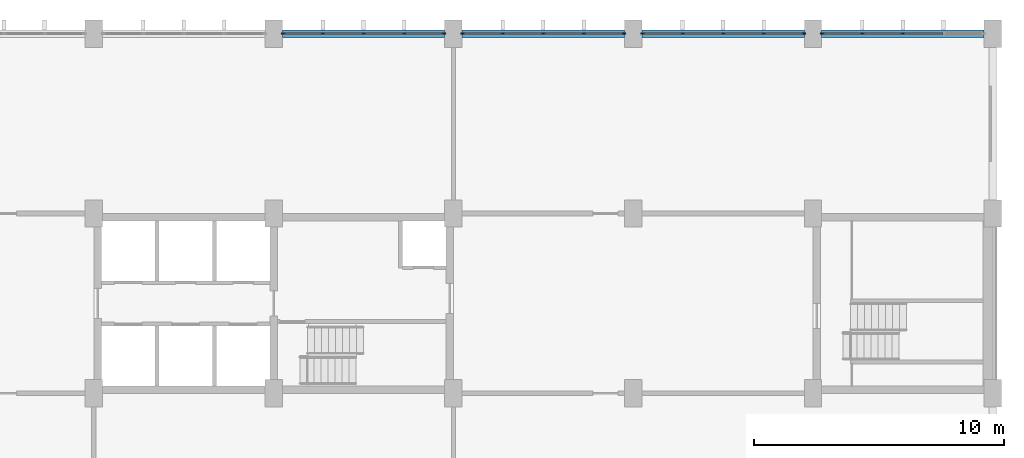
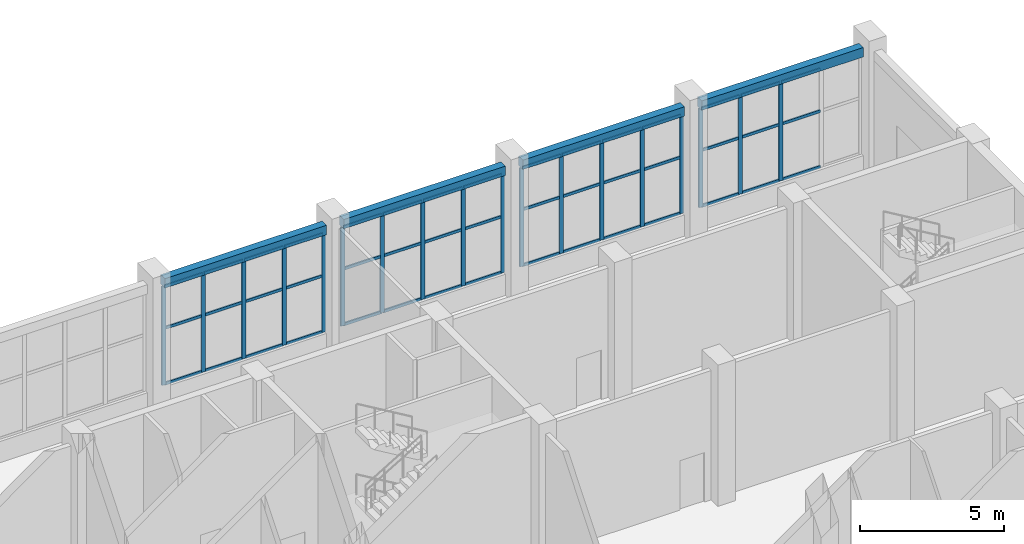
# One storey, part 16 of 44: 63 members, 4 beams, 4 elements without a shape of their own.
"""IFC4 building model written with IfcOpenShell, lengths in metres."""

import ifcopenshell
import ifcopenshell.guid

model = None  # the IFC model being written
_history = None  # IfcOwnerHistory: only IFC2X3 demands one
_inside = {}  # id of a spatial element -> (the spatial element, [elements in it])
_under = {}  # id of a project, library or spatial element -> (it, [spatial elements below it])
_declared = {}  # id of a project -> (the project, [libraries it declares])
_typed = {}  # id of a type object -> (the type object, [elements of that type])
_made_of = {}  # id of a material, layer set ... -> (it, [elements and type objects made of it])


def new_model(schema):
    """Start an empty IFC model of exactly this schema.

    Asked for "IFC4X3", IfcOpenShell would pick the latest addendum, in which some entities
    have other attributes; the version numbers below select the first issue.
    IFC2X3 requires an IfcOwnerHistory on every rooted entity: one is made here for all.
    """
    global model, _history
    if schema == "IFC4X3":
        model = ifcopenshell.file(schema_version=(4, 3, 0, 0))
    else:
        model = ifcopenshell.file(schema=schema)
    _inside.clear()
    _under.clear()
    _declared.clear()
    _typed.clear()
    _made_of.clear()
    _history = None
    if model.schema == "IFC2X3":
        org = make("IfcOrganization", Name="unknown")
        user = make(
            "IfcPersonAndOrganization",
            ThePerson=make("IfcPerson", FamilyName="unknown"),
            TheOrganization=org,
        )
        app = make(
            "IfcApplication",
            ApplicationDeveloper=org,
            Version="unknown",
            ApplicationFullName="unknown",
            ApplicationIdentifier="unknown",
        )
        _history = make(
            "IfcOwnerHistory",
            OwningUser=user,
            OwningApplication=app,
            ChangeAction="ADDED",
            CreationDate=0,
        )
    return model


def make(cls, **values):
    """One entity of the class cls with the attributes given. An attribute that is None is left unset."""
    return model.create_entity(
        cls, **{name: value for name, value in values.items() if value is not None}
    )


def rooted(cls, **values):
    """An entity with a GlobalId (a new one), such as an element, a storey or a relation."""
    return make(cls, GlobalId=ifcopenshell.guid.new(), OwnerHistory=_history, **values)


def si_unit(unit_type, name, prefix=None):
    """IfcSIUnit, for example si_unit("LENGTHUNIT", "METRE", prefix="MILLI")."""
    return make("IfcSIUnit", UnitType=unit_type, Prefix=prefix, Name=name)


def assignment(units):
    """IfcUnitAssignment: the units of a project."""
    return None if units is None else make("IfcUnitAssignment", Units=units)


def point(xyz):
    """IfcCartesianPoint."""
    return None if xyz is None else make("IfcCartesianPoint", Coordinates=xyz)


def direction(xyz):
    """IfcDirection."""
    return None if xyz is None else make("IfcDirection", DirectionRatios=xyz)


def frame(location, z_axis=None, x_axis=None):
    """IfcAxis2Placement3D, a coordinate frame: its origin and axes. An axis left out is left unset."""
    return make(
        "IfcAxis2Placement3D",
        Location=point(location),
        Axis=direction(z_axis),
        RefDirection=direction(x_axis),
    )


def frame_2d(location, x_axis=None):
    """IfcAxis2Placement2D, a coordinate frame in the plane: its origin and x axis."""
    return make(
        "IfcAxis2Placement2D", Location=point(location), RefDirection=direction(x_axis)
    )


def origin():
    """The frame at (0, 0, 0) with its axes left unset."""
    return frame((0.0, 0.0, 0.0))


def origin_2d():
    """The frame at (0, 0) in the plane with its x axis left unset."""
    return frame_2d((0.0, 0.0))


def place(relative_to, where):
    """IfcLocalPlacement: puts the frame where relative to a parent placement (None: the world)."""
    return make(
        "IfcLocalPlacement", PlacementRelTo=relative_to, RelativePlacement=where
    )


def context(
    kind, dimensions, precision=None, world=None, true_north=None, identifier=None
):
    """IfcGeometricRepresentationContext, for example the 3D "Model" context."""
    return make(
        "IfcGeometricRepresentationContext",
        ContextIdentifier=identifier,
        ContextType=kind,
        CoordinateSpaceDimension=dimensions,
        Precision=precision,
        WorldCoordinateSystem=world,
        TrueNorth=true_north,
    )


def subcontext(parent, identifier, kind, view, scale=None):
    """IfcGeometricRepresentationSubContext, for example "Body" below "Model"."""
    return make(
        "IfcGeometricRepresentationSubContext",
        ContextIdentifier=identifier,
        ContextType=kind,
        ParentContext=parent,
        TargetScale=scale,
        TargetView=view,
    )


def project(units=None, contexts=None):
    """IfcProject with its units and contexts."""
    return rooted(
        "IfcProject",
        Name="project",
        RepresentationContexts=contexts,
        UnitsInContext=assignment(units),
    )


def spatial(cls, under=None, at=None, **own):
    """A site, building, storey or space (cls), placed at a placement, below another one or the project."""
    s = rooted(cls, ObjectPlacement=at, **own)
    if under is not None:
        _under.setdefault(under.id(), (under, []))[1].append(s)
    return s


def profile(cls, at=None, kind="AREA", **sizes):
    """A parametric profile (cls). Its sizes go by their IFC names, for example OverallWidth=200.0."""
    return make(cls, ProfileType=kind, Position=at, **sizes)


def rectangle(**sizes):
    """IfcRectangleProfileDef."""
    return profile("IfcRectangleProfileDef", **sizes)


def extrude(swept, where, along, depth):
    """IfcExtrudedAreaSolid: the profile swept, set in the frame where, extruded along a direction by depth."""
    return make(
        "IfcExtrudedAreaSolid",
        SweptArea=swept,
        Position=where,
        ExtrudedDirection=direction(along),
        Depth=depth,
    )


def shape(context_of_items, identifier, shape_type, items):
    """IfcShapeRepresentation: the items that make up one representation, for example the "Body"."""
    return make(
        "IfcShapeRepresentation",
        ContextOfItems=context_of_items,
        RepresentationIdentifier=identifier,
        RepresentationType=shape_type,
        Items=items,
    )


def material(Name=None, Category=None):
    """IfcMaterial."""
    return make("IfcMaterial", Name=Name, Category=Category)


def layer(
    of_material, thickness, ventilated=None, Name=None, Category=None, Priority=None
):
    """IfcMaterialLayer: one layer of a wall or slab, of a material (None: an air gap)."""
    return make(
        "IfcMaterialLayer",
        Material=of_material,
        LayerThickness=thickness,
        IsVentilated=ventilated,
        Name=Name,
        Category=Category,
        Priority=Priority,
    )


def layer_set(layers, Name=None):
    """IfcMaterialLayerSet."""
    return make("IfcMaterialLayerSet", MaterialLayers=layers, LayerSetName=Name)


def material_profile(
    of_material, cross_section, Name=None, Category=None, Priority=None
):
    """IfcMaterialProfile: a cross section and its material."""
    return make(
        "IfcMaterialProfile",
        Name=Name,
        Material=of_material,
        Profile=cross_section,
        Priority=Priority,
        Category=Category,
    )


def profile_set(profiles, Name=None, composite=None):
    """IfcMaterialProfileSet."""
    return make(
        "IfcMaterialProfileSet",
        Name=Name,
        MaterialProfiles=profiles,
        CompositeProfile=composite,
    )


def made_of(thing, what):
    """Note that an element or type object is made of a material, layer set ...; save() writes the relation."""
    if what is not None:
        _made_of.setdefault(what.id(), (what, []))[1].append(thing)
    return thing


def type_object(cls, material=None, **own):
    """A type object (cls), such as IfcWallType, which elements share."""
    return made_of(rooted(cls, **own), material)


def element(
    cls,
    number,
    at=None,
    inside=None,
    cuts=None,
    type_object=None,
    material=None,
    context=None,
    identifier="Body",
    shape_type=None,
    held_by="IfcProductDefinitionShape",
    body=None,
    shapes=None,
    **own,
):
    """One element of the class cls, such as IfcWall. Its Tag is "e" and its number.

    at: its placement. inside: the storey or other place that contains it. cuts: it is an
    opening in that element (IfcRelVoidsElement). A single representation is given by context,
    identifier, shape_type and body (its items); several are given by shapes. held_by: the class
    of the entity that holds the representations. save() writes the other relations.
    """
    e = rooted(cls, Tag="e%d" % number, ObjectPlacement=at, **own)
    if body is not None:
        shapes = [shape(context, identifier, shape_type, body)]
    if shapes is not None:
        e.Representation = make(held_by, Representations=shapes)
    if inside is not None:
        _inside.setdefault(inside.id(), (inside, []))[1].append(e)
    if cuts is not None:
        rooted(
            "IfcRelVoidsElement", RelatingBuildingElement=cuts, RelatedOpeningElement=e
        )
    if type_object is not None:
        _typed.setdefault(type_object.id(), (type_object, []))[1].append(e)
    return made_of(e, material)


def aggregate(whole, parts):
    """IfcRelAggregates: a whole, such as a stair, and the parts it consists of."""
    return rooted("IfcRelAggregates", RelatingObject=whole, RelatedObjects=parts)


def save(model, path):
    """Write the relations noted so far, then the file.

    IfcRelAggregates (storeys below a building ...), IfcRelContainedInSpatialStructure (elements
    in a storey), IfcRelDefinesByType, IfcRelAssociatesMaterial and IfcRelDeclares: one each for
    every whole, place, type object, material and project.
    """
    for whole, parts in _under.values():
        aggregate(whole, parts)
    for where, things in _inside.values():
        rooted(
            "IfcRelContainedInSpatialStructure",
            RelatedElements=things,
            RelatingStructure=where,
        )
    for kind, things in _typed.values():
        rooted("IfcRelDefinesByType", RelatedObjects=things, RelatingType=kind)
    for what, things in _made_of.values():
        rooted("IfcRelAssociatesMaterial", RelatedObjects=things, RelatingMaterial=what)
    for by, libraries in _declared.values():
        rooted("IfcRelDeclares", RelatingContext=by, RelatedDefinitions=libraries)
    model.write(path)


model = new_model("IFC4")

# Units and contexts
model_context = context("Model", 3, precision=1e-05, world=origin(), true_north=direction((0.0, 1.0)))
body_context = subcontext(model_context, "Body", "Model", "MODEL_VIEW")
ifc_project = project(units=[si_unit("LENGTHUNIT", "METRE"), si_unit("AREAUNIT", "SQUARE_METRE"), si_unit("VOLUMEUNIT", "CUBIC_METRE"), si_unit("PLANEANGLEUNIT", "RADIAN"), si_unit("MASSUNIT", "GRAM", prefix="KILO")], contexts=[model_context])

# Site, building, storey
site_placement = place(None, origin())
site = spatial("IfcSite", under=ifc_project, at=site_placement, CompositionType="ELEMENT")
building_placement = place(site_placement, origin())
building = spatial("IfcBuilding", under=site, at=building_placement, Name="Vermilion Court Aquatics Centre", CompositionType="ELEMENT")
storey_placement = place(building_placement, frame((0.0, 0.0, 6.0)))
storey = spatial("IfcBuildingStorey", under=building, at=storey_placement, Name="L01", CompositionType="ELEMENT", Elevation=6.0)

# Curtain wall, members
ifc_material_1 = material(Name="Aluminium 6063-T5", Category="aluminium")
ifc_layer = layer(ifc_material_1, 0.14990234375)
ifc_layer_set = layer_set([ifc_layer], Name="Podium curtain wall bay, 1800 module")
curtain_wall_type = type_object("IfcCurtainWallType", Name="Podium curtain wall bay, 1800 module", PredefinedType="NOTDEFINED", material=ifc_layer_set)
curtain_wall_1_placement = place(storey_placement, origin())
curtain_wall_1 = element("IfcCurtainWall", 1, at=curtain_wall_1_placement, inside=storey, type_object=curtain_wall_type, Name="Curtain wall L01", PredefinedType="NOTDEFINED")
ifc_material_2 = material(Name="Aluminium 6063-T5", Category="aluminium")
ifc_material_profile_1 = material_profile(ifc_material_2, rectangle(XDim=0.06005859375, YDim=0.159912109375, at=origin_2d()), Name="Mullion 60x160")
ifc_profile_set_1 = profile_set([ifc_material_profile_1], Name="Aluminium 6063-T5")
member_type_1 = type_object("IfcMemberType", Name="Podium curtain wall mullion 60x160", PredefinedType="MULLION", material=ifc_profile_set_1)
member_1_placement = place(storey_placement, frame((165.97998046875, 115.199951171875, 0.89990234375), z_axis=(0.0, 0.0, 1.0), x_axis=(0.0, 1.0, 0.0)))
member_1 = element("IfcMember", 2, at=member_1_placement, type_object=member_type_1, Name="PG2 mullion 1", PredefinedType="MULLION", context=body_context, shape_type="SweptSolid", body=[
    extrude(rectangle(XDim=0.06005859375, YDim=0.159912109375, at=origin_2d()), origin(), (0.0, 0.0, 1.0), 4.2001953125),
])
member_2_placement = place(storey_placement, frame((167.574951171875, 115.199951171875, 0.89990234375), z_axis=(0.0, 0.0, 1.0), x_axis=(0.0, 1.0, 0.0)))
member_2 = element("IfcMember", 3, at=member_2_placement, type_object=member_type_1, Name="PG2 mullion 2", PredefinedType="MULLION", context=body_context, shape_type="SweptSolid", body=[
    extrude(rectangle(XDim=0.06005859375, YDim=0.159912109375, at=origin_2d()), origin(), (0.0, 0.0, 1.0), 4.2001953125),
])
member_3_placement = place(storey_placement, frame((169.199951171875, 115.199951171875, 0.89990234375), z_axis=(0.0, 0.0, 1.0), x_axis=(0.0, 1.0, 0.0)))
member_3 = element("IfcMember", 4, at=member_3_placement, type_object=member_type_1, Name="PG2 mullion 3", PredefinedType="MULLION", context=body_context, shape_type="SweptSolid", body=[
    extrude(rectangle(XDim=0.06005859375, YDim=0.159912109375, at=origin_2d()), origin(), (0.0, 0.0, 1.0), 4.2001953125),
])
member_4_placement = place(storey_placement, frame((170.824951171875, 115.199951171875, 0.89990234375), z_axis=(0.0, 0.0, 1.0), x_axis=(0.0, 1.0, 0.0)))
member_4 = element("IfcMember", 5, at=member_4_placement, type_object=member_type_1, Name="PG2 mullion 4", PredefinedType="MULLION", context=body_context, shape_type="SweptSolid", body=[
    extrude(rectangle(XDim=0.06005859375, YDim=0.159912109375, at=origin_2d()), origin(), (0.0, 0.0, 1.0), 4.2001953125),
])
member_5_placement = place(storey_placement, frame((172.419921875, 115.199951171875, 0.89990234375), z_axis=(0.0, 0.0, 1.0), x_axis=(0.0, 1.0, 0.0)))
member_5 = element("IfcMember", 6, at=member_5_placement, type_object=member_type_1, Name="PG2 mullion 5", PredefinedType="MULLION", context=body_context, shape_type="SweptSolid", body=[
    extrude(rectangle(XDim=0.06005859375, YDim=0.159912109375, at=origin_2d()), origin(), (0.0, 0.0, 1.0), 4.2001953125),
])

curtain_wall_2_placement = place(storey_placement, origin())
curtain_wall_2 = element("IfcCurtainWall", 7, at=curtain_wall_2_placement, inside=storey, type_object=curtain_wall_type, Name="Curtain wall L01", PredefinedType="NOTDEFINED")
member_6_placement = place(storey_placement, frame((173.179931640625, 115.199951171875, 0.89990234375), z_axis=(0.0, 0.0, 1.0), x_axis=(0.0, 1.0, 0.0)))
member_6 = element("IfcMember", 8, at=member_6_placement, type_object=member_type_1, Name="PG2 mullion 1", PredefinedType="MULLION", context=body_context, shape_type="SweptSolid", body=[
    extrude(rectangle(XDim=0.06005859375, YDim=0.159912109375, at=origin_2d()), origin(), (0.0, 0.0, 1.0), 4.2001953125),
])
member_7_placement = place(storey_placement, frame((174.77490234375, 115.199951171875, 0.89990234375), z_axis=(0.0, 0.0, 1.0), x_axis=(0.0, 1.0, 0.0)))
member_7 = element("IfcMember", 9, at=member_7_placement, type_object=member_type_1, Name="PG2 mullion 2", PredefinedType="MULLION", context=body_context, shape_type="SweptSolid", body=[
    extrude(rectangle(XDim=0.06005859375, YDim=0.159912109375, at=origin_2d()), origin(), (0.0, 0.0, 1.0), 4.2001953125),
])
member_8_placement = place(storey_placement, frame((176.39990234375, 115.199951171875, 0.89990234375), z_axis=(0.0, 0.0, 1.0), x_axis=(0.0, 1.0, 0.0)))
member_8 = element("IfcMember", 10, at=member_8_placement, type_object=member_type_1, Name="PG2 mullion 3", PredefinedType="MULLION", context=body_context, shape_type="SweptSolid", body=[
    extrude(rectangle(XDim=0.06005859375, YDim=0.159912109375, at=origin_2d()), origin(), (0.0, 0.0, 1.0), 4.2001953125),
])
member_9_placement = place(storey_placement, frame((178.02490234375, 115.199951171875, 0.89990234375), z_axis=(0.0, 0.0, 1.0), x_axis=(0.0, 1.0, 0.0)))
member_9 = element("IfcMember", 11, at=member_9_placement, type_object=member_type_1, Name="PG2 mullion 4", PredefinedType="MULLION", context=body_context, shape_type="SweptSolid", body=[
    extrude(rectangle(XDim=0.06005859375, YDim=0.159912109375, at=origin_2d()), origin(), (0.0, 0.0, 1.0), 4.2001953125),
])
member_10_placement = place(storey_placement, frame((179.6201171875, 115.199951171875, 0.89990234375), z_axis=(0.0, 0.0, 1.0), x_axis=(0.0, 1.0, 0.0)))
member_10 = element("IfcMember", 12, at=member_10_placement, type_object=member_type_1, Name="PG2 mullion 5", PredefinedType="MULLION", context=body_context, shape_type="SweptSolid", body=[
    extrude(rectangle(XDim=0.06005859375, YDim=0.159912109375, at=origin_2d()), origin(), (0.0, 0.0, 1.0), 4.2001953125),
])

curtain_wall_3_placement = place(storey_placement, origin())
curtain_wall_3 = element("IfcCurtainWall", 13, at=curtain_wall_3_placement, inside=storey, type_object=curtain_wall_type, Name="Curtain wall L01", PredefinedType="NOTDEFINED")
member_11_placement = place(storey_placement, frame((180.3798828125, 115.199951171875, 0.89990234375), z_axis=(0.0, 0.0, 1.0), x_axis=(0.0, 1.0, 0.0)))
member_11 = element("IfcMember", 14, at=member_11_placement, type_object=member_type_1, Name="PG2 mullion 1", PredefinedType="MULLION", context=body_context, shape_type="SweptSolid", body=[
    extrude(rectangle(XDim=0.06005859375, YDim=0.159912109375, at=origin_2d()), origin(), (0.0, 0.0, 1.0), 4.2001953125),
])
member_12_placement = place(storey_placement, frame((181.97509765625, 115.199951171875, 0.89990234375), z_axis=(0.0, 0.0, 1.0), x_axis=(0.0, 1.0, 0.0)))
member_12 = element("IfcMember", 15, at=member_12_placement, type_object=member_type_1, Name="PG2 mullion 2", PredefinedType="MULLION", context=body_context, shape_type="SweptSolid", body=[
    extrude(rectangle(XDim=0.06005859375, YDim=0.159912109375, at=origin_2d()), origin(), (0.0, 0.0, 1.0), 4.2001953125),
])
member_13_placement = place(storey_placement, frame((183.60009765625, 115.199951171875, 0.89990234375), z_axis=(0.0, 0.0, 1.0), x_axis=(0.0, 1.0, 0.0)))
member_13 = element("IfcMember", 16, at=member_13_placement, type_object=member_type_1, Name="PG2 mullion 3", PredefinedType="MULLION", context=body_context, shape_type="SweptSolid", body=[
    extrude(rectangle(XDim=0.06005859375, YDim=0.159912109375, at=origin_2d()), origin(), (0.0, 0.0, 1.0), 4.2001953125),
])
member_14_placement = place(storey_placement, frame((185.22509765625, 115.199951171875, 0.89990234375), z_axis=(0.0, 0.0, 1.0), x_axis=(0.0, 1.0, 0.0)))
member_14 = element("IfcMember", 17, at=member_14_placement, type_object=member_type_1, Name="PG2 mullion 4", PredefinedType="MULLION", context=body_context, shape_type="SweptSolid", body=[
    extrude(rectangle(XDim=0.06005859375, YDim=0.159912109375, at=origin_2d()), origin(), (0.0, 0.0, 1.0), 4.2001953125),
])
member_15_placement = place(storey_placement, frame((186.820068359375, 115.199951171875, 0.89990234375), z_axis=(0.0, 0.0, 1.0), x_axis=(0.0, 1.0, 0.0)))
member_15 = element("IfcMember", 18, at=member_15_placement, type_object=member_type_1, Name="PG2 mullion 5", PredefinedType="MULLION", context=body_context, shape_type="SweptSolid", body=[
    extrude(rectangle(XDim=0.06005859375, YDim=0.159912109375, at=origin_2d()), origin(), (0.0, 0.0, 1.0), 4.2001953125),
])

curtain_wall_4_placement = place(storey_placement, origin())
curtain_wall_4 = element("IfcCurtainWall", 19, at=curtain_wall_4_placement, inside=storey, type_object=curtain_wall_type, Name="Curtain wall L01", PredefinedType="NOTDEFINED")
member_16_placement = place(storey_placement, frame((187.580078125, 115.199951171875, 0.89990234375), z_axis=(0.0, 0.0, 1.0), x_axis=(0.0, 1.0, 0.0)))
member_16 = element("IfcMember", 20, at=member_16_placement, type_object=member_type_1, Name="PG2 mullion 1", PredefinedType="MULLION", context=body_context, shape_type="SweptSolid", body=[
    extrude(rectangle(XDim=0.06005859375, YDim=0.159912109375, at=origin_2d()), origin(), (0.0, 0.0, 1.0), 4.2001953125),
])
member_17_placement = place(storey_placement, frame((189.175048828125, 115.199951171875, 0.89990234375), z_axis=(0.0, 0.0, 1.0), x_axis=(0.0, 1.0, 0.0)))
member_17 = element("IfcMember", 21, at=member_17_placement, type_object=member_type_1, Name="PG2 mullion 2", PredefinedType="MULLION", context=body_context, shape_type="SweptSolid", body=[
    extrude(rectangle(XDim=0.06005859375, YDim=0.159912109375, at=origin_2d()), origin(), (0.0, 0.0, 1.0), 4.2001953125),
])
member_18_placement = place(storey_placement, frame((190.800048828125, 115.199951171875, 0.89990234375), z_axis=(0.0, 0.0, 1.0), x_axis=(0.0, 1.0, 0.0)))
member_18 = element("IfcMember", 22, at=member_18_placement, type_object=member_type_1, Name="PG2 mullion 3", PredefinedType="MULLION", context=body_context, shape_type="SweptSolid", body=[
    extrude(rectangle(XDim=0.06005859375, YDim=0.159912109375, at=origin_2d()), origin(), (0.0, 0.0, 1.0), 4.2001953125),
])

# Member
ifc_material_3 = material(Name="Aluminium 6063-T5", Category="aluminium")
ifc_material_profile_2 = material_profile(ifc_material_3, rectangle(XDim=0.06005859375, YDim=0.1201171875, at=origin_2d()), Name="Transom 60x120")
ifc_profile_set_2 = profile_set([ifc_material_profile_2], Name="Aluminium 6063-T5")
member_type_2 = type_object("IfcMemberType", Name="Podium curtain wall transom 60x120", PredefinedType="USERDEFINED", material=ifc_profile_set_2)
member_19_placement = place(storey_placement, frame((166.010009765625, 115.199951171875, 0.929931640625), z_axis=(1.0, 0.0, 0.0), x_axis=(0.0, 1.0, 0.0)))
member_19 = element("IfcMember", 23, at=member_19_placement, type_object=member_type_2, Name="PG2 transom 1.1", ObjectType="TRANSOM", PredefinedType="USERDEFINED", context=body_context, shape_type="SweptSolid", body=[
    extrude(rectangle(XDim=0.06005859375, YDim=0.1201171875, at=origin_2d()), origin(), (0.0, 0.0, 1.0), 1.534912109375),
])

member_20_placement = place(storey_placement, frame((166.010009765625, 115.199951171875, 3.300048828125), z_axis=(1.0, 0.0, 0.0), x_axis=(0.0, 1.0, 0.0)))
member_20 = element("IfcMember", 24, at=member_20_placement, type_object=member_type_2, Name="PG2 transom 1.2", ObjectType="TRANSOM", PredefinedType="USERDEFINED", context=body_context, shape_type="SweptSolid", body=[
    extrude(rectangle(XDim=0.06005859375, YDim=0.1201171875, at=origin_2d()), origin(), (0.0, 0.0, 1.0), 1.534912109375),
])

member_21_placement = place(storey_placement, frame((166.010009765625, 115.199951171875, 5.070068359375), z_axis=(1.0, 0.0, 0.0), x_axis=(0.0, 1.0, 0.0)))
member_21 = element("IfcMember", 25, at=member_21_placement, type_object=member_type_2, Name="PG2 transom 1.3", ObjectType="TRANSOM", PredefinedType="USERDEFINED", context=body_context, shape_type="SweptSolid", body=[
    extrude(rectangle(XDim=0.06005859375, YDim=0.1201171875, at=origin_2d()), origin(), (0.0, 0.0, 1.0), 1.534912109375),
])

member_22_placement = place(storey_placement, frame((167.60498046875, 115.199951171875, 0.929931640625), z_axis=(1.0, 0.0, 0.0), x_axis=(0.0, 1.0, 0.0)))
member_22 = element("IfcMember", 26, at=member_22_placement, type_object=member_type_2, Name="PG2 transom 2.1", ObjectType="TRANSOM", PredefinedType="USERDEFINED", context=body_context, shape_type="SweptSolid", body=[
    extrude(rectangle(XDim=0.06005859375, YDim=0.1201171875, at=origin_2d()), origin(), (0.0, 0.0, 1.0), 1.56494140625),
])

member_23_placement = place(storey_placement, frame((167.60498046875, 115.199951171875, 3.300048828125), z_axis=(1.0, 0.0, 0.0), x_axis=(0.0, 1.0, 0.0)))
member_23 = element("IfcMember", 27, at=member_23_placement, type_object=member_type_2, Name="PG2 transom 2.2", ObjectType="TRANSOM", PredefinedType="USERDEFINED", context=body_context, shape_type="SweptSolid", body=[
    extrude(rectangle(XDim=0.06005859375, YDim=0.1201171875, at=origin_2d()), origin(), (0.0, 0.0, 1.0), 1.56494140625),
])

member_24_placement = place(storey_placement, frame((167.60498046875, 115.199951171875, 5.070068359375), z_axis=(1.0, 0.0, 0.0), x_axis=(0.0, 1.0, 0.0)))
member_24 = element("IfcMember", 28, at=member_24_placement, type_object=member_type_2, Name="PG2 transom 2.3", ObjectType="TRANSOM", PredefinedType="USERDEFINED", context=body_context, shape_type="SweptSolid", body=[
    extrude(rectangle(XDim=0.06005859375, YDim=0.1201171875, at=origin_2d()), origin(), (0.0, 0.0, 1.0), 1.56494140625),
])

member_25_placement = place(storey_placement, frame((169.22998046875, 115.199951171875, 0.929931640625), z_axis=(1.0, 0.0, 0.0), x_axis=(0.0, 1.0, 0.0)))
member_25 = element("IfcMember", 29, at=member_25_placement, type_object=member_type_2, Name="PG2 transom 3.1", ObjectType="TRANSOM", PredefinedType="USERDEFINED", context=body_context, shape_type="SweptSolid", body=[
    extrude(rectangle(XDim=0.06005859375, YDim=0.1201171875, at=origin_2d()), origin(), (0.0, 0.0, 1.0), 1.56494140625),
])

member_26_placement = place(storey_placement, frame((169.22998046875, 115.199951171875, 3.300048828125), z_axis=(1.0, 0.0, 0.0), x_axis=(0.0, 1.0, 0.0)))
member_26 = element("IfcMember", 30, at=member_26_placement, type_object=member_type_2, Name="PG2 transom 3.2", ObjectType="TRANSOM", PredefinedType="USERDEFINED", context=body_context, shape_type="SweptSolid", body=[
    extrude(rectangle(XDim=0.06005859375, YDim=0.1201171875, at=origin_2d()), origin(), (0.0, 0.0, 1.0), 1.56494140625),
])

member_27_placement = place(storey_placement, frame((169.22998046875, 115.199951171875, 5.070068359375), z_axis=(1.0, 0.0, 0.0), x_axis=(0.0, 1.0, 0.0)))
member_27 = element("IfcMember", 31, at=member_27_placement, type_object=member_type_2, Name="PG2 transom 3.3", ObjectType="TRANSOM", PredefinedType="USERDEFINED", context=body_context, shape_type="SweptSolid", body=[
    extrude(rectangle(XDim=0.06005859375, YDim=0.1201171875, at=origin_2d()), origin(), (0.0, 0.0, 1.0), 1.56494140625),
])

member_28_placement = place(storey_placement, frame((170.85498046875, 115.199951171875, 0.929931640625), z_axis=(1.0, 0.0, 0.0), x_axis=(0.0, 1.0, 0.0)))
member_28 = element("IfcMember", 32, at=member_28_placement, type_object=member_type_2, Name="PG2 transom 4.1", ObjectType="TRANSOM", PredefinedType="USERDEFINED", context=body_context, shape_type="SweptSolid", body=[
    extrude(rectangle(XDim=0.06005859375, YDim=0.1201171875, at=origin_2d()), origin(), (0.0, 0.0, 1.0), 1.534912109375),
])

member_29_placement = place(storey_placement, frame((170.85498046875, 115.199951171875, 3.300048828125), z_axis=(1.0, 0.0, 0.0), x_axis=(0.0, 1.0, 0.0)))
member_29 = element("IfcMember", 33, at=member_29_placement, type_object=member_type_2, Name="PG2 transom 4.2", ObjectType="TRANSOM", PredefinedType="USERDEFINED", context=body_context, shape_type="SweptSolid", body=[
    extrude(rectangle(XDim=0.06005859375, YDim=0.1201171875, at=origin_2d()), origin(), (0.0, 0.0, 1.0), 1.534912109375),
])

member_30_placement = place(storey_placement, frame((170.85498046875, 115.199951171875, 5.070068359375), z_axis=(1.0, 0.0, 0.0), x_axis=(0.0, 1.0, 0.0)))
member_30 = element("IfcMember", 34, at=member_30_placement, type_object=member_type_2, Name="PG2 transom 4.3", ObjectType="TRANSOM", PredefinedType="USERDEFINED", context=body_context, shape_type="SweptSolid", body=[
    extrude(rectangle(XDim=0.06005859375, YDim=0.1201171875, at=origin_2d()), origin(), (0.0, 0.0, 1.0), 1.534912109375),
])

aggregate(curtain_wall_1, [member_1, member_2, member_3, member_4, member_5, member_19, member_20, member_21, member_22, member_23, member_24, member_25, member_26, member_27, member_28, member_29, member_30])

member_31_placement = place(storey_placement, frame((173.2099609375, 115.199951171875, 0.929931640625), z_axis=(1.0, 0.0, 0.0), x_axis=(0.0, 1.0, 0.0)))
member_31 = element("IfcMember", 35, at=member_31_placement, type_object=member_type_2, Name="PG2 transom 1.1", ObjectType="TRANSOM", PredefinedType="USERDEFINED", context=body_context, shape_type="SweptSolid", body=[
    extrude(rectangle(XDim=0.06005859375, YDim=0.1201171875, at=origin_2d()), origin(), (0.0, 0.0, 1.0), 1.53515625),
])

member_32_placement = place(storey_placement, frame((173.2099609375, 115.199951171875, 3.300048828125), z_axis=(1.0, 0.0, 0.0), x_axis=(0.0, 1.0, 0.0)))
member_32 = element("IfcMember", 36, at=member_32_placement, type_object=member_type_2, Name="PG2 transom 1.2", ObjectType="TRANSOM", PredefinedType="USERDEFINED", context=body_context, shape_type="SweptSolid", body=[
    extrude(rectangle(XDim=0.06005859375, YDim=0.1201171875, at=origin_2d()), origin(), (0.0, 0.0, 1.0), 1.53515625),
])

member_33_placement = place(storey_placement, frame((173.2099609375, 115.199951171875, 5.070068359375), z_axis=(1.0, 0.0, 0.0), x_axis=(0.0, 1.0, 0.0)))
member_33 = element("IfcMember", 37, at=member_33_placement, type_object=member_type_2, Name="PG2 transom 1.3", ObjectType="TRANSOM", PredefinedType="USERDEFINED", context=body_context, shape_type="SweptSolid", body=[
    extrude(rectangle(XDim=0.06005859375, YDim=0.1201171875, at=origin_2d()), origin(), (0.0, 0.0, 1.0), 1.53515625),
])

member_34_placement = place(storey_placement, frame((174.804931640625, 115.199951171875, 0.929931640625), z_axis=(1.0, 0.0, 0.0), x_axis=(0.0, 1.0, 0.0)))
member_34 = element("IfcMember", 38, at=member_34_placement, type_object=member_type_2, Name="PG2 transom 2.1", ObjectType="TRANSOM", PredefinedType="USERDEFINED", context=body_context, shape_type="SweptSolid", body=[
    extrude(rectangle(XDim=0.06005859375, YDim=0.1201171875, at=origin_2d()), origin(), (0.0, 0.0, 1.0), 1.565185546875),
])

member_35_placement = place(storey_placement, frame((174.804931640625, 115.199951171875, 3.300048828125), z_axis=(1.0, 0.0, 0.0), x_axis=(0.0, 1.0, 0.0)))
member_35 = element("IfcMember", 39, at=member_35_placement, type_object=member_type_2, Name="PG2 transom 2.2", ObjectType="TRANSOM", PredefinedType="USERDEFINED", context=body_context, shape_type="SweptSolid", body=[
    extrude(rectangle(XDim=0.06005859375, YDim=0.1201171875, at=origin_2d()), origin(), (0.0, 0.0, 1.0), 1.565185546875),
])

member_36_placement = place(storey_placement, frame((174.804931640625, 115.199951171875, 5.070068359375), z_axis=(1.0, 0.0, 0.0), x_axis=(0.0, 1.0, 0.0)))
member_36 = element("IfcMember", 40, at=member_36_placement, type_object=member_type_2, Name="PG2 transom 2.3", ObjectType="TRANSOM", PredefinedType="USERDEFINED", context=body_context, shape_type="SweptSolid", body=[
    extrude(rectangle(XDim=0.06005859375, YDim=0.1201171875, at=origin_2d()), origin(), (0.0, 0.0, 1.0), 1.565185546875),
])

member_37_placement = place(storey_placement, frame((176.429931640625, 115.199951171875, 0.929931640625), z_axis=(1.0, 0.0, 0.0), x_axis=(0.0, 1.0, 0.0)))
member_37 = element("IfcMember", 41, at=member_37_placement, type_object=member_type_2, Name="PG2 transom 3.1", ObjectType="TRANSOM", PredefinedType="USERDEFINED", context=body_context, shape_type="SweptSolid", body=[
    extrude(rectangle(XDim=0.06005859375, YDim=0.1201171875, at=origin_2d()), origin(), (0.0, 0.0, 1.0), 1.565185546875),
])

member_38_placement = place(storey_placement, frame((176.429931640625, 115.199951171875, 3.300048828125), z_axis=(1.0, 0.0, 0.0), x_axis=(0.0, 1.0, 0.0)))
member_38 = element("IfcMember", 42, at=member_38_placement, type_object=member_type_2, Name="PG2 transom 3.2", ObjectType="TRANSOM", PredefinedType="USERDEFINED", context=body_context, shape_type="SweptSolid", body=[
    extrude(rectangle(XDim=0.06005859375, YDim=0.1201171875, at=origin_2d()), origin(), (0.0, 0.0, 1.0), 1.565185546875),
])

member_39_placement = place(storey_placement, frame((176.429931640625, 115.199951171875, 5.070068359375), z_axis=(1.0, 0.0, 0.0), x_axis=(0.0, 1.0, 0.0)))
member_39 = element("IfcMember", 43, at=member_39_placement, type_object=member_type_2, Name="PG2 transom 3.3", ObjectType="TRANSOM", PredefinedType="USERDEFINED", context=body_context, shape_type="SweptSolid", body=[
    extrude(rectangle(XDim=0.06005859375, YDim=0.1201171875, at=origin_2d()), origin(), (0.0, 0.0, 1.0), 1.565185546875),
])

member_40_placement = place(storey_placement, frame((178.054931640625, 115.199951171875, 0.929931640625), z_axis=(1.0, 0.0, 0.0), x_axis=(0.0, 1.0, 0.0)))
member_40 = element("IfcMember", 44, at=member_40_placement, type_object=member_type_2, Name="PG2 transom 4.1", ObjectType="TRANSOM", PredefinedType="USERDEFINED", context=body_context, shape_type="SweptSolid", body=[
    extrude(rectangle(XDim=0.06005859375, YDim=0.1201171875, at=origin_2d()), origin(), (0.0, 0.0, 1.0), 1.53515625),
])

member_41_placement = place(storey_placement, frame((178.054931640625, 115.199951171875, 3.300048828125), z_axis=(1.0, 0.0, 0.0), x_axis=(0.0, 1.0, 0.0)))
member_41 = element("IfcMember", 45, at=member_41_placement, type_object=member_type_2, Name="PG2 transom 4.2", ObjectType="TRANSOM", PredefinedType="USERDEFINED", context=body_context, shape_type="SweptSolid", body=[
    extrude(rectangle(XDim=0.06005859375, YDim=0.1201171875, at=origin_2d()), origin(), (0.0, 0.0, 1.0), 1.53515625),
])

member_42_placement = place(storey_placement, frame((178.054931640625, 115.199951171875, 5.070068359375), z_axis=(1.0, 0.0, 0.0), x_axis=(0.0, 1.0, 0.0)))
member_42 = element("IfcMember", 46, at=member_42_placement, type_object=member_type_2, Name="PG2 transom 4.3", ObjectType="TRANSOM", PredefinedType="USERDEFINED", context=body_context, shape_type="SweptSolid", body=[
    extrude(rectangle(XDim=0.06005859375, YDim=0.1201171875, at=origin_2d()), origin(), (0.0, 0.0, 1.0), 1.53515625),
])

aggregate(curtain_wall_2, [member_6, member_7, member_8, member_9, member_10, member_31, member_32, member_33, member_34, member_35, member_36, member_37, member_38, member_39, member_40, member_41, member_42])

member_43_placement = place(storey_placement, frame((180.409912109375, 115.199951171875, 0.929931640625), z_axis=(1.0, 0.0, 0.0), x_axis=(0.0, 1.0, 0.0)))
member_43 = element("IfcMember", 47, at=member_43_placement, type_object=member_type_2, Name="PG2 transom 1.1", ObjectType="TRANSOM", PredefinedType="USERDEFINED", context=body_context, shape_type="SweptSolid", body=[
    extrude(rectangle(XDim=0.06005859375, YDim=0.1201171875, at=origin_2d()), origin(), (0.0, 0.0, 1.0), 1.53515625),
])

member_44_placement = place(storey_placement, frame((180.409912109375, 115.199951171875, 3.300048828125), z_axis=(1.0, 0.0, 0.0), x_axis=(0.0, 1.0, 0.0)))
member_44 = element("IfcMember", 48, at=member_44_placement, type_object=member_type_2, Name="PG2 transom 1.2", ObjectType="TRANSOM", PredefinedType="USERDEFINED", context=body_context, shape_type="SweptSolid", body=[
    extrude(rectangle(XDim=0.06005859375, YDim=0.1201171875, at=origin_2d()), origin(), (0.0, 0.0, 1.0), 1.53515625),
])

member_45_placement = place(storey_placement, frame((180.409912109375, 115.199951171875, 5.070068359375), z_axis=(1.0, 0.0, 0.0), x_axis=(0.0, 1.0, 0.0)))
member_45 = element("IfcMember", 49, at=member_45_placement, type_object=member_type_2, Name="PG2 transom 1.3", ObjectType="TRANSOM", PredefinedType="USERDEFINED", context=body_context, shape_type="SweptSolid", body=[
    extrude(rectangle(XDim=0.06005859375, YDim=0.1201171875, at=origin_2d()), origin(), (0.0, 0.0, 1.0), 1.53515625),
])

member_46_placement = place(storey_placement, frame((182.0048828125, 115.199951171875, 0.929931640625), z_axis=(1.0, 0.0, 0.0), x_axis=(0.0, 1.0, 0.0)))
member_46 = element("IfcMember", 50, at=member_46_placement, type_object=member_type_2, Name="PG2 transom 2.1", ObjectType="TRANSOM", PredefinedType="USERDEFINED", context=body_context, shape_type="SweptSolid", body=[
    extrude(rectangle(XDim=0.06005859375, YDim=0.1201171875, at=origin_2d()), origin(), (0.0, 0.0, 1.0), 1.565185546875),
])

member_47_placement = place(storey_placement, frame((182.0048828125, 115.199951171875, 3.300048828125), z_axis=(1.0, 0.0, 0.0), x_axis=(0.0, 1.0, 0.0)))
member_47 = element("IfcMember", 51, at=member_47_placement, type_object=member_type_2, Name="PG2 transom 2.2", ObjectType="TRANSOM", PredefinedType="USERDEFINED", context=body_context, shape_type="SweptSolid", body=[
    extrude(rectangle(XDim=0.06005859375, YDim=0.1201171875, at=origin_2d()), origin(), (0.0, 0.0, 1.0), 1.565185546875),
])

member_48_placement = place(storey_placement, frame((182.0048828125, 115.199951171875, 5.070068359375), z_axis=(1.0, 0.0, 0.0), x_axis=(0.0, 1.0, 0.0)))
member_48 = element("IfcMember", 52, at=member_48_placement, type_object=member_type_2, Name="PG2 transom 2.3", ObjectType="TRANSOM", PredefinedType="USERDEFINED", context=body_context, shape_type="SweptSolid", body=[
    extrude(rectangle(XDim=0.06005859375, YDim=0.1201171875, at=origin_2d()), origin(), (0.0, 0.0, 1.0), 1.565185546875),
])

member_49_placement = place(storey_placement, frame((183.6298828125, 115.199951171875, 0.929931640625), z_axis=(1.0, 0.0, 0.0), x_axis=(0.0, 1.0, 0.0)))
member_49 = element("IfcMember", 53, at=member_49_placement, type_object=member_type_2, Name="PG2 transom 3.1", ObjectType="TRANSOM", PredefinedType="USERDEFINED", context=body_context, shape_type="SweptSolid", body=[
    extrude(rectangle(XDim=0.06005859375, YDim=0.1201171875, at=origin_2d()), origin(), (0.0, 0.0, 1.0), 1.565185546875),
])

member_50_placement = place(storey_placement, frame((183.6298828125, 115.199951171875, 3.300048828125), z_axis=(1.0, 0.0, 0.0), x_axis=(0.0, 1.0, 0.0)))
member_50 = element("IfcMember", 54, at=member_50_placement, type_object=member_type_2, Name="PG2 transom 3.2", ObjectType="TRANSOM", PredefinedType="USERDEFINED", context=body_context, shape_type="SweptSolid", body=[
    extrude(rectangle(XDim=0.06005859375, YDim=0.1201171875, at=origin_2d()), origin(), (0.0, 0.0, 1.0), 1.565185546875),
])

member_51_placement = place(storey_placement, frame((183.6298828125, 115.199951171875, 5.070068359375), z_axis=(1.0, 0.0, 0.0), x_axis=(0.0, 1.0, 0.0)))
member_51 = element("IfcMember", 55, at=member_51_placement, type_object=member_type_2, Name="PG2 transom 3.3", ObjectType="TRANSOM", PredefinedType="USERDEFINED", context=body_context, shape_type="SweptSolid", body=[
    extrude(rectangle(XDim=0.06005859375, YDim=0.1201171875, at=origin_2d()), origin(), (0.0, 0.0, 1.0), 1.565185546875),
])

member_52_placement = place(storey_placement, frame((185.2548828125, 115.199951171875, 0.929931640625), z_axis=(1.0, 0.0, 0.0), x_axis=(0.0, 1.0, 0.0)))
member_52 = element("IfcMember", 56, at=member_52_placement, type_object=member_type_2, Name="PG2 transom 4.1", ObjectType="TRANSOM", PredefinedType="USERDEFINED", context=body_context, shape_type="SweptSolid", body=[
    extrude(rectangle(XDim=0.06005859375, YDim=0.1201171875, at=origin_2d()), origin(), (0.0, 0.0, 1.0), 1.53515625),
])

member_53_placement = place(storey_placement, frame((185.2548828125, 115.199951171875, 3.300048828125), z_axis=(1.0, 0.0, 0.0), x_axis=(0.0, 1.0, 0.0)))
member_53 = element("IfcMember", 57, at=member_53_placement, type_object=member_type_2, Name="PG2 transom 4.2", ObjectType="TRANSOM", PredefinedType="USERDEFINED", context=body_context, shape_type="SweptSolid", body=[
    extrude(rectangle(XDim=0.06005859375, YDim=0.1201171875, at=origin_2d()), origin(), (0.0, 0.0, 1.0), 1.53515625),
])

member_54_placement = place(storey_placement, frame((185.2548828125, 115.199951171875, 5.070068359375), z_axis=(1.0, 0.0, 0.0), x_axis=(0.0, 1.0, 0.0)))
member_54 = element("IfcMember", 58, at=member_54_placement, type_object=member_type_2, Name="PG2 transom 4.3", ObjectType="TRANSOM", PredefinedType="USERDEFINED", context=body_context, shape_type="SweptSolid", body=[
    extrude(rectangle(XDim=0.06005859375, YDim=0.1201171875, at=origin_2d()), origin(), (0.0, 0.0, 1.0), 1.53515625),
])

aggregate(curtain_wall_3, [member_11, member_12, member_13, member_14, member_15, member_43, member_44, member_45, member_46, member_47, member_48, member_49, member_50, member_51, member_52, member_53, member_54])

member_55_placement = place(storey_placement, frame((187.610107421875, 115.199951171875, 0.929931640625), z_axis=(1.0, 0.0, 0.0), x_axis=(0.0, 1.0, 0.0)))
member_55 = element("IfcMember", 59, at=member_55_placement, type_object=member_type_2, Name="PG2 transom 1.1", ObjectType="TRANSOM", PredefinedType="USERDEFINED", context=body_context, shape_type="SweptSolid", body=[
    extrude(rectangle(XDim=0.06005859375, YDim=0.1201171875, at=origin_2d()), origin(), (0.0, 0.0, 1.0), 1.534912109375),
])

member_56_placement = place(storey_placement, frame((187.610107421875, 115.199951171875, 3.300048828125), z_axis=(1.0, 0.0, 0.0), x_axis=(0.0, 1.0, 0.0)))
member_56 = element("IfcMember", 60, at=member_56_placement, type_object=member_type_2, Name="PG2 transom 1.2", ObjectType="TRANSOM", PredefinedType="USERDEFINED", context=body_context, shape_type="SweptSolid", body=[
    extrude(rectangle(XDim=0.06005859375, YDim=0.1201171875, at=origin_2d()), origin(), (0.0, 0.0, 1.0), 1.534912109375),
])

member_57_placement = place(storey_placement, frame((187.610107421875, 115.199951171875, 5.070068359375), z_axis=(1.0, 0.0, 0.0), x_axis=(0.0, 1.0, 0.0)))
member_57 = element("IfcMember", 61, at=member_57_placement, type_object=member_type_2, Name="PG2 transom 1.3", ObjectType="TRANSOM", PredefinedType="USERDEFINED", context=body_context, shape_type="SweptSolid", body=[
    extrude(rectangle(XDim=0.06005859375, YDim=0.1201171875, at=origin_2d()), origin(), (0.0, 0.0, 1.0), 1.534912109375),
])

member_58_placement = place(storey_placement, frame((189.205078125, 115.199951171875, 0.929931640625), z_axis=(1.0, 0.0, 0.0), x_axis=(0.0, 1.0, 0.0)))
member_58 = element("IfcMember", 62, at=member_58_placement, type_object=member_type_2, Name="PG2 transom 2.1", ObjectType="TRANSOM", PredefinedType="USERDEFINED", context=body_context, shape_type="SweptSolid", body=[
    extrude(rectangle(XDim=0.06005859375, YDim=0.1201171875, at=origin_2d()), origin(), (0.0, 0.0, 1.0), 1.56494140625),
])

member_59_placement = place(storey_placement, frame((189.205078125, 115.199951171875, 3.300048828125), z_axis=(1.0, 0.0, 0.0), x_axis=(0.0, 1.0, 0.0)))
member_59 = element("IfcMember", 63, at=member_59_placement, type_object=member_type_2, Name="PG2 transom 2.2", ObjectType="TRANSOM", PredefinedType="USERDEFINED", context=body_context, shape_type="SweptSolid", body=[
    extrude(rectangle(XDim=0.06005859375, YDim=0.1201171875, at=origin_2d()), origin(), (0.0, 0.0, 1.0), 1.56494140625),
])

member_60_placement = place(storey_placement, frame((189.205078125, 115.199951171875, 5.070068359375), z_axis=(1.0, 0.0, 0.0), x_axis=(0.0, 1.0, 0.0)))
member_60 = element("IfcMember", 64, at=member_60_placement, type_object=member_type_2, Name="PG2 transom 2.3", ObjectType="TRANSOM", PredefinedType="USERDEFINED", context=body_context, shape_type="SweptSolid", body=[
    extrude(rectangle(XDim=0.06005859375, YDim=0.1201171875, at=origin_2d()), origin(), (0.0, 0.0, 1.0), 1.56494140625),
])

member_61_placement = place(storey_placement, frame((190.830078125, 115.199951171875, 0.929931640625), z_axis=(1.0, 0.0, 0.0), x_axis=(0.0, 1.0, 0.0)))
member_61 = element("IfcMember", 65, at=member_61_placement, type_object=member_type_2, Name="PG2 transom 3.1", ObjectType="TRANSOM", PredefinedType="USERDEFINED", context=body_context, shape_type="SweptSolid", body=[
    extrude(rectangle(XDim=0.06005859375, YDim=0.1201171875, at=origin_2d()), origin(), (0.0, 0.0, 1.0), 1.56494140625),
])

member_62_placement = place(storey_placement, frame((190.830078125, 115.199951171875, 3.300048828125), z_axis=(1.0, 0.0, 0.0), x_axis=(0.0, 1.0, 0.0)))
member_62 = element("IfcMember", 66, at=member_62_placement, type_object=member_type_2, Name="PG2 transom 3.2", ObjectType="TRANSOM", PredefinedType="USERDEFINED", context=body_context, shape_type="SweptSolid", body=[
    extrude(rectangle(XDim=0.06005859375, YDim=0.1201171875, at=origin_2d()), origin(), (0.0, 0.0, 1.0), 1.56494140625),
])

member_63_placement = place(storey_placement, frame((190.830078125, 115.199951171875, 5.070068359375), z_axis=(1.0, 0.0, 0.0), x_axis=(0.0, 1.0, 0.0)))
member_63 = element("IfcMember", 67, at=member_63_placement, type_object=member_type_2, Name="PG2 transom 3.3", ObjectType="TRANSOM", PredefinedType="USERDEFINED", context=body_context, shape_type="SweptSolid", body=[
    extrude(rectangle(XDim=0.06005859375, YDim=0.1201171875, at=origin_2d()), origin(), (0.0, 0.0, 1.0), 1.56494140625),
])

aggregate(curtain_wall_4, [member_16, member_17, member_18, member_55, member_56, member_57, member_58, member_59, member_60, member_61, member_62, member_63])

# Beams
ifc_material_4 = material(Name="Concrete 5000 psi", Category="concrete")
ifc_material_profile_3 = material_profile(ifc_material_4, rectangle(XDim=0.300048828125, YDim=0.39990234375, at=origin_2d()), Name="RC 300x400")
ifc_profile_set_3 = profile_set([ifc_material_profile_3], Name="Concrete 5000 psi")
beam_type = type_object("IfcBeamType", Name="Podium spandrel beam RC 300x400", PredefinedType="BEAM", material=ifc_profile_set_3)
for number, where, z_axis, x_axis, name in (
    (68, (165.949951171875, 115.199951171875, 5.300048828125), (1.0, 0.0, 0.0), (0.0, 1.0, 0.0), "Spandrel beam L01"),
    (69, (173.14990234375, 115.199951171875, 5.300048828125), (1.0, 0.0, 0.0), (0.0, 1.0, 0.0), "Spandrel beam L01"),
    (70, (180.35009765625, 115.199951171875, 5.300048828125), (1.0, 0.0, 0.0), (0.0, 1.0, 0.0), "Spandrel beam L01"),
    (71, (187.550048828125, 115.199951171875, 5.300048828125), (1.0, 0.0, 0.0), (0.0, 1.0, 0.0), "Spandrel beam L01"),
):
    element("IfcBeam", number, at=place(storey_placement, frame(where, z_axis=z_axis, x_axis=x_axis)), inside=storey, type_object=beam_type, Name=name, PredefinedType="BEAM", context=body_context, shape_type="SweptSolid", body=[
        extrude(rectangle(XDim=0.300048828125, YDim=0.39990234375, at=origin_2d()), origin(), (0.0, 0.0, 1.0), 6.5),
    ])

save(model, "model.ifc")
